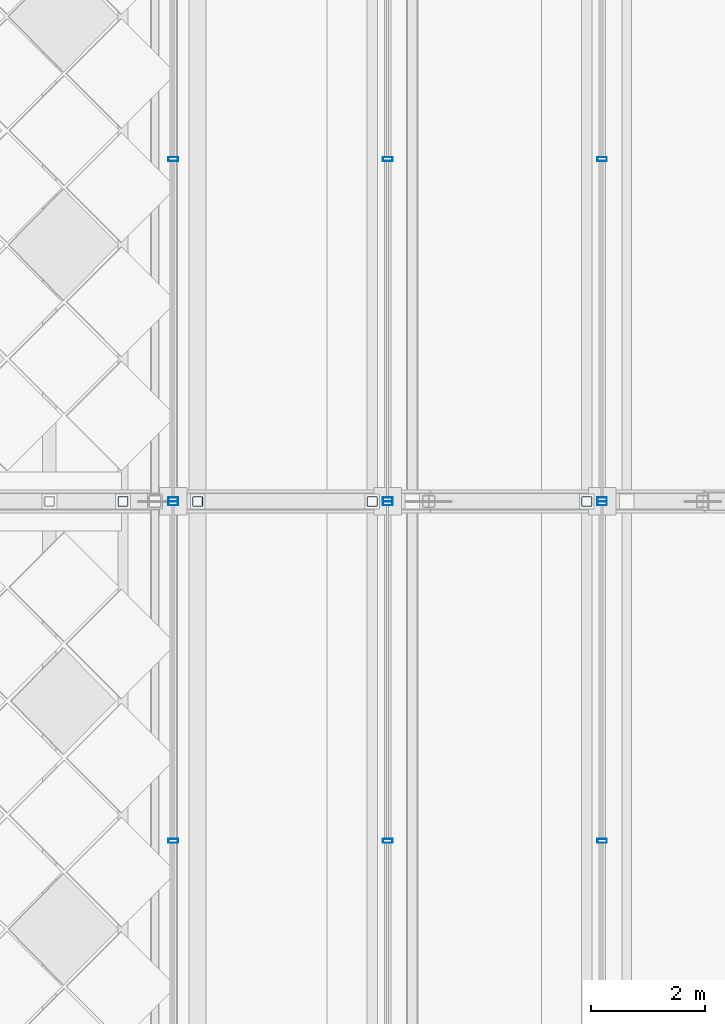
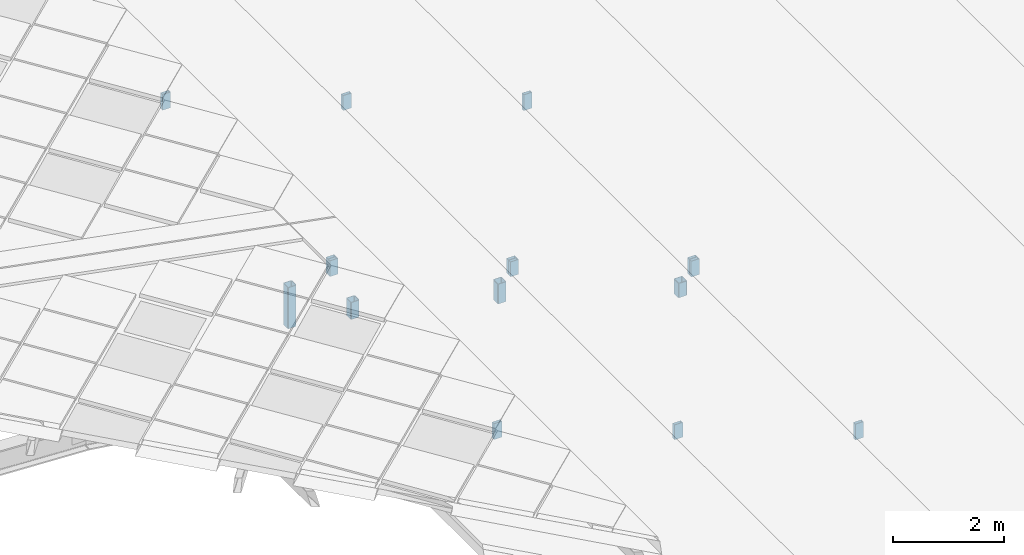
# One storey, part 61 of 117: 16 members, 6 elements without a shape of their own.
"""IFC4 building model written with IfcOpenShell, lengths in metres."""

from ifc_helpers import new_model, si_unit, direction, frame, origin, origin_2d, place, context, subcontext, project, spatial, hollow_rectangle, extrude, material, material_profile, profile_set, type_object, element, aggregate, save


model = new_model("IFC4")

# Units and contexts
model_context = context("Model", 3, precision=1e-05, world=origin(), true_north=direction((0.0, 1.0)))
body_context = subcontext(model_context, "Body", "Model", "MODEL_VIEW")
ifc_project = project(units=[si_unit("LENGTHUNIT", "METRE"), si_unit("AREAUNIT", "SQUARE_METRE"), si_unit("VOLUMEUNIT", "CUBIC_METRE"), si_unit("PLANEANGLEUNIT", "RADIAN"), si_unit("MASSUNIT", "GRAM", prefix="KILO")], contexts=[model_context])

# Site, building, storey
site_placement = place(None, origin())
site = spatial("IfcSite", under=ifc_project, at=site_placement, CompositionType="ELEMENT")
building_placement = place(site_placement, origin())
building = spatial("IfcBuilding", under=site, at=building_placement, Name="Merenkruunu Market Hall", CompositionType="ELEMENT")
storey_placement = place(building_placement, frame((0.0, 0.0, 22.800048828125)))
storey = spatial("IfcBuildingStorey", under=building, at=storey_placement, Name="RF", CompositionType="ELEMENT", Elevation=22.800048828125)

# Curtain wall, members
ifc_material_1 = material(Name="Powder-coated aluminium", Category="aluminium")
curtain_wall_type = type_object("IfcCurtainWallType", Name="Clerestory Curtain Band CL05", PredefinedType="USERDEFINED", material=ifc_material_1)
curtain_wall_1_placement = place(storey_placement, origin())
curtain_wall_1 = element("IfcCurtainWall", 1, at=curtain_wall_1_placement, inside=storey, type_object=curtain_wall_type, Name="CW-RF-CWM04-098", ObjectType="CLERESTORY_BAND", PredefinedType="USERDEFINED")
ifc_material_profile_1 = material_profile(ifc_material_1, hollow_rectangle(XDim=0.070068359375, YDim=0.169921875, WallThickness=0.0048828125, at=origin_2d()), Name="ALU 70x170x5")
ifc_profile_set_1 = profile_set([ifc_material_profile_1], Name="Powder-coated aluminium")
member_type_1 = type_object("IfcMemberType", Name="Curtain Wall Mullion CWM04", PredefinedType="MULLION", material=ifc_profile_set_1)
member_1_placement = place(storey_placement, frame((46.239990234375, 39.56494140625, -3.882080078125), z_axis=(0.0, 0.0, 1.0), x_axis=(0.0, -1.0, 0.0)))
member_1 = element("IfcMember", 2, at=member_1_placement, type_object=member_type_1, Name="CL05 mullion 1", PredefinedType="MULLION", context=body_context, shape_type="SweptSolid", body=[
    extrude(hollow_rectangle(XDim=0.070068359375, YDim=0.169921875, WallThickness=0.0048828125, at=origin_2d()), origin(), (0.0, 0.0, 1.0), 0.34814453125),
])
member_2_placement = place(storey_placement, frame((46.239990234375, 33.64990234375, -3.882080078125), z_axis=(0.0, 0.0, 1.0), x_axis=(0.0, -1.0, 0.0)))
member_2 = element("IfcMember", 3, at=member_2_placement, type_object=member_type_1, Name="CL05 mullion 2", PredefinedType="MULLION", context=body_context, shape_type="SweptSolid", body=[
    extrude(hollow_rectangle(XDim=0.070068359375, YDim=0.169921875, WallThickness=0.0048828125, at=origin_2d()), origin(), (0.0, 0.0, 1.0), 0.34814453125),
])
aggregate(curtain_wall_1, [member_1, member_2])

curtain_wall_2_placement = place(storey_placement, origin())
curtain_wall_2 = element("IfcCurtainWall", 4, at=curtain_wall_2_placement, inside=storey, type_object=curtain_wall_type, Name="CW-RF-CWM04-100", ObjectType="CLERESTORY_BAND", PredefinedType="USERDEFINED")
member_3_placement = place(storey_placement, frame((46.239990234375, 45.60009765625, -3.882080078125), z_axis=(0.0, 0.0, 1.0), x_axis=(0.0, -1.0, 0.0)))
member_3 = element("IfcMember", 5, at=member_3_placement, type_object=member_type_1, Name="CL05 mullion 4", PredefinedType="MULLION", context=body_context, shape_type="SweptSolid", body=[
    extrude(hollow_rectangle(XDim=0.070068359375, YDim=0.169921875, WallThickness=0.0048828125, at=origin_2d()), origin(), (0.0, 0.0, 1.0), 0.34814453125),
])
member_4_placement = place(storey_placement, frame((46.239990234375, 39.635009765625, -3.882080078125), z_axis=(0.0, 0.0, 1.0), x_axis=(0.0, -1.0, 0.0)))
member_4 = element("IfcMember", 6, at=member_4_placement, type_object=member_type_1, Name="CL05 mullion 5", PredefinedType="MULLION", context=body_context, shape_type="SweptSolid", body=[
    extrude(hollow_rectangle(XDim=0.070068359375, YDim=0.169921875, WallThickness=0.0048828125, at=origin_2d()), origin(), (0.0, 0.0, 1.0), 0.34814453125),
])
aggregate(curtain_wall_2, [member_3, member_4])

curtain_wall_3_placement = place(storey_placement, origin())
curtain_wall_3 = element("IfcCurtainWall", 7, at=curtain_wall_3_placement, inside=storey, type_object=curtain_wall_type, Name="CW-RF-CWM04-106", ObjectType="CLERESTORY_BAND", PredefinedType="USERDEFINED")
member_5_placement = place(storey_placement, frame((42.47998046875, 39.56494140625, -2.56201171875), z_axis=(0.0, 0.0, 1.0), x_axis=(0.0, -1.0, 0.0)))
member_5 = element("IfcMember", 8, at=member_5_placement, type_object=member_type_1, Name="CL05 mullion 1", PredefinedType="MULLION", context=body_context, shape_type="SweptSolid", body=[
    extrude(hollow_rectangle(XDim=0.070068359375, YDim=0.169921875, WallThickness=0.0048828125, at=origin_2d()), origin(), (0.0, 0.0, 1.0), 0.326904296875),
])
member_6_placement = place(storey_placement, frame((42.47998046875, 33.64990234375, -2.56201171875), z_axis=(0.0, 0.0, 1.0), x_axis=(0.0, -1.0, 0.0)))
member_6 = element("IfcMember", 9, at=member_6_placement, type_object=member_type_1, Name="CL05 mullion 2", PredefinedType="MULLION", context=body_context, shape_type="SweptSolid", body=[
    extrude(hollow_rectangle(XDim=0.070068359375, YDim=0.169921875, WallThickness=0.0048828125, at=origin_2d()), origin(), (0.0, 0.0, 1.0), 0.326904296875),
])
aggregate(curtain_wall_3, [member_5, member_6])

curtain_wall_4_placement = place(storey_placement, origin())
curtain_wall_4 = element("IfcCurtainWall", 10, at=curtain_wall_4_placement, inside=storey, type_object=curtain_wall_type, Name="CW-RF-CWM04-108", ObjectType="CLERESTORY_BAND", PredefinedType="USERDEFINED")
member_7_placement = place(storey_placement, frame((42.47998046875, 45.60009765625, -2.56201171875), z_axis=(0.0, 0.0, 1.0), x_axis=(0.0, -1.0, 0.0)))
member_7 = element("IfcMember", 11, at=member_7_placement, type_object=member_type_1, Name="CL05 mullion 4", PredefinedType="MULLION", context=body_context, shape_type="SweptSolid", body=[
    extrude(hollow_rectangle(XDim=0.070068359375, YDim=0.169921875, WallThickness=0.0048828125, at=origin_2d()), origin(), (0.0, 0.0, 1.0), 0.326904296875),
])
member_8_placement = place(storey_placement, frame((42.47998046875, 39.635009765625, -2.56201171875), z_axis=(0.0, 0.0, 1.0), x_axis=(0.0, -1.0, 0.0)))
member_8 = element("IfcMember", 12, at=member_8_placement, type_object=member_type_1, Name="CL05 mullion 5", PredefinedType="MULLION", context=body_context, shape_type="SweptSolid", body=[
    extrude(hollow_rectangle(XDim=0.070068359375, YDim=0.169921875, WallThickness=0.0048828125, at=origin_2d()), origin(), (0.0, 0.0, 1.0), 0.326904296875),
])
aggregate(curtain_wall_4, [member_7, member_8])

curtain_wall_5_placement = place(storey_placement, origin())
curtain_wall_5 = element("IfcCurtainWall", 13, at=curtain_wall_5_placement, inside=storey, type_object=curtain_wall_type, Name="CW-RF-CWM04-114", ObjectType="CLERESTORY_BAND", PredefinedType="USERDEFINED")
member_9_placement = place(storey_placement, frame((38.719970703125, 39.56494140625, -1.241943359375), z_axis=(0.0, 0.0, 1.0), x_axis=(0.0, -1.0, 0.0)))
member_9 = element("IfcMember", 14, at=member_9_placement, type_object=member_type_1, Name="CL05 mullion 1", PredefinedType="MULLION", context=body_context, shape_type="SweptSolid", body=[
    extrude(hollow_rectangle(XDim=0.070068359375, YDim=0.169921875, WallThickness=0.0048828125, at=origin_2d()), origin(), (0.0, 0.0, 1.0), 0.347900390625),
])
member_10_placement = place(storey_placement, frame((38.719970703125, 33.64990234375, -1.241943359375), z_axis=(0.0, 0.0, 1.0), x_axis=(0.0, -1.0, 0.0)))
member_10 = element("IfcMember", 15, at=member_10_placement, type_object=member_type_1, Name="CL05 mullion 2", PredefinedType="MULLION", context=body_context, shape_type="SweptSolid", body=[
    extrude(hollow_rectangle(XDim=0.070068359375, YDim=0.169921875, WallThickness=0.0048828125, at=origin_2d()), origin(), (0.0, 0.0, 1.0), 0.347900390625),
])
aggregate(curtain_wall_5, [member_9, member_10])

curtain_wall_6_placement = place(storey_placement, origin())
curtain_wall_6 = element("IfcCurtainWall", 16, at=curtain_wall_6_placement, inside=storey, type_object=curtain_wall_type, Name="CW-RF-CWM04-116", ObjectType="CLERESTORY_BAND", PredefinedType="USERDEFINED")
member_11_placement = place(storey_placement, frame((38.719970703125, 45.60009765625, -1.241943359375), z_axis=(0.0, 0.0, 1.0), x_axis=(0.0, -1.0, 0.0)))
member_11 = element("IfcMember", 17, at=member_11_placement, type_object=member_type_1, Name="CL05 mullion 4", PredefinedType="MULLION", context=body_context, shape_type="SweptSolid", body=[
    extrude(hollow_rectangle(XDim=0.070068359375, YDim=0.169921875, WallThickness=0.0048828125, at=origin_2d()), origin(), (0.0, 0.0, 1.0), 0.347900390625),
])
member_12_placement = place(storey_placement, frame((38.719970703125, 39.635009765625, -1.241943359375), z_axis=(0.0, 0.0, 1.0), x_axis=(0.0, -1.0, 0.0)))
member_12 = element("IfcMember", 18, at=member_12_placement, type_object=member_type_1, Name="CL05 mullion 5", PredefinedType="MULLION", context=body_context, shape_type="SweptSolid", body=[
    extrude(hollow_rectangle(XDim=0.070068359375, YDim=0.169921875, WallThickness=0.0048828125, at=origin_2d()), origin(), (0.0, 0.0, 1.0), 0.347900390625),
])
aggregate(curtain_wall_6, [member_11, member_12])

# Members
ifc_material_2 = material(Name="Steel S355J2", Category="steel")
ifc_material_profile_2 = material_profile(ifc_material_2, hollow_rectangle(XDim=0.179931640625, YDim=0.179931640625, WallThickness=0.010009765625, InnerFilletRadius=0.010009765625, OuterFilletRadius=0.02001953125, at=origin_2d()), Name="SHS 180x180x10")
ifc_profile_set_2 = profile_set([ifc_material_profile_2], Name="Steel S355J2")
member_type_2 = type_object("IfcMemberType", Name="Diagonal Sway Brace BR05", PredefinedType="BRACE", material=ifc_profile_set_2)
member_13_placement = place(storey_placement, frame((45.969970703125, 39.60009765625, -4.23583984375), z_axis=(0.0, 0.0, 1.0), x_axis=(1.0, 0.0, 0.0)))
element("IfcMember", 19, at=member_13_placement, inside=storey, type_object=member_type_2, Name="TRUSS-AT-3-RISER-E4-1", PredefinedType="BRACE", context=body_context, shape_type="SweptSolid", body=[
    extrude(hollow_rectangle(XDim=0.179931640625, YDim=0.179931640625, WallThickness=0.010009765625, InnerFilletRadius=0.010009765625, OuterFilletRadius=0.02001953125, at=origin_2d()), origin(), (0.0, 0.0, 1.0), 0.31787109375),
])
member_14_placement = place(storey_placement, frame((42.2099609375, 39.60009765625, -3.053955078125), z_axis=(0.0, 0.0, 1.0), x_axis=(1.0, 0.0, 0.0)))
element("IfcMember", 20, at=member_14_placement, inside=storey, type_object=member_type_2, Name="TRUSS-AT-3-RISER-E5-1", PredefinedType="BRACE", context=body_context, shape_type="SweptSolid", body=[
    extrude(hollow_rectangle(XDim=0.179931640625, YDim=0.179931640625, WallThickness=0.010009765625, InnerFilletRadius=0.010009765625, OuterFilletRadius=0.02001953125, at=origin_2d()), origin(), (0.0, 0.0, 1.0), 0.435546875),
])
member_15_placement = place(storey_placement, frame((39.14990234375, 39.60009765625, -2.326904296875), z_axis=(0.0, 0.0, 1.0), x_axis=(1.0, 0.0, 0.0)))
element("IfcMember", 21, at=member_15_placement, inside=storey, type_object=member_type_2, Name="TRUSS-AT-3-RISER-E5-2", PredefinedType="BRACE", context=body_context, shape_type="SweptSolid", body=[
    extrude(hollow_rectangle(XDim=0.179931640625, YDim=0.179931640625, WallThickness=0.010009765625, InnerFilletRadius=0.010009765625, OuterFilletRadius=0.02001953125, at=origin_2d()), origin(), (0.0, 0.0, 1.0), 0.37451171875),
])
member_16_placement = place(storey_placement, frame((37.840087890625, 39.60009765625, -2.07080078125), z_axis=(0.0, 0.0, 1.0), x_axis=(1.0, 0.0, 0.0)))
element("IfcMember", 22, at=member_16_placement, inside=storey, type_object=member_type_2, Name="TRUSS-AT-3-RISER-E6-1", PredefinedType="BRACE", context=body_context, shape_type="SweptSolid", body=[
    extrude(hollow_rectangle(XDim=0.179931640625, YDim=0.179931640625, WallThickness=0.010009765625, InnerFilletRadius=0.010009765625, OuterFilletRadius=0.02001953125, at=origin_2d()), origin(), (0.0, 0.0, 1.0), 0.90576171875),
])

save(model, "model.ifc")
